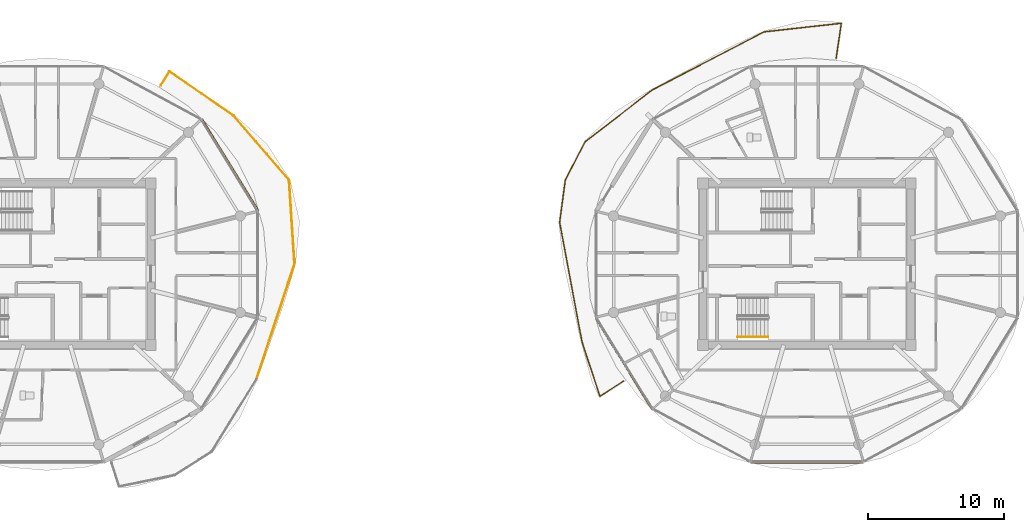
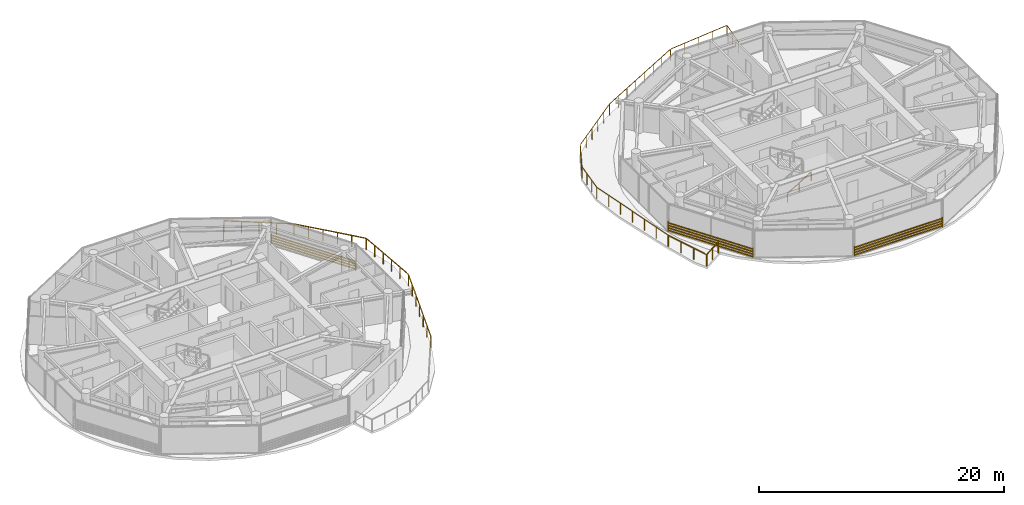
# One storey, part 17 of 19: 4 railings, 3 shading devices.
"""IFC4 building model written with IfcOpenShell, lengths in metres."""

from ifc_helpers import new_model, si_unit, direction, frame, origin, origin_2d, place, context, subcontext, project, spatial, rectangle, extrude, source, transform, mapped, material, type_object, type_shapes, element, save


model = new_model("IFC4")

# Units and contexts
model_context = context("Model", 3, precision=1e-05, world=origin(), true_north=direction((0.0, 1.0)))
body_context = subcontext(model_context, "Body", "Model", "MODEL_VIEW")
ifc_project = project(units=[si_unit("LENGTHUNIT", "METRE"), si_unit("AREAUNIT", "SQUARE_METRE"), si_unit("VOLUMEUNIT", "CUBIC_METRE"), si_unit("PLANEANGLEUNIT", "RADIAN"), si_unit("MASSUNIT", "GRAM", prefix="KILO")], contexts=[model_context])

# Site, building, storey
site_placement = place(None, origin())
site = spatial("IfcSite", under=ifc_project, at=site_placement, CompositionType="ELEMENT")
building_placement = place(site_placement, origin())
building = spatial("IfcBuilding", under=site, at=building_placement, Name="Norrkilde Senior Care Towers", CompositionType="ELEMENT")
storey_placement = place(building_placement, frame((0.0, 0.0, 193.699951171875)))
storey = spatial("IfcBuildingStorey", under=building, at=storey_placement, Name="L60", CompositionType="ELEMENT", Elevation=193.699951171875)

# Railings
ifc_material_1 = material(Name="Anodised Aluminium", Category="aluminium")
railing_type_1 = type_object("IfcRailingType", Name="Balcony Swirl Ribbon Guardrail 1150", PredefinedType="GUARDRAIL", material=ifc_material_1)
railing_1_placement = place(storey_placement, frame((11.427001953125, -5.733154296875, 0.0)))
element("IfcRailing", 1, at=railing_1_placement, inside=storey, type_object=railing_type_1, Name="L60 Perimeter Safety Guard 01", PredefinedType="GUARDRAIL", context=body_context, shape_type="SweptSolid", body=[
    extrude(rectangle(XDim=0.048095703125, YDim=0.048095703125, at=origin_2d()), frame((0.0, 0.0, 1.1259765625), z_axis=(-0.183926849175, 0.982939934153, 0.0), x_axis=(-0.982939934153, -0.183926849175, 0.0)), (0.0, 0.0, 1.0), 8.925537109375),
    extrude(rectangle(XDim=0.048095703125, YDim=0.048095703125, at=origin_2d()), frame((-1.643798828125, 8.85400390625, 1.1259765625), z_axis=(0.13208257829, 0.991238716209, 0.0), x_axis=(-0.991238716209, 0.13208257829, 0.0)), (0.0, 0.0, 1.0), 3.071533203125),
    extrude(rectangle(XDim=0.048095703125, YDim=0.048095703125, at=origin_2d()), frame((-1.2138671875, 11.9755859375, 1.1259765625), z_axis=(0.460852637019, 0.887476674033, 0.0), x_axis=(-0.887476674033, 0.460852637019, 0.0)), (0.0, 0.0, 1.0), 3.085205078125),
    extrude(rectangle(XDim=0.048095703125, YDim=0.048095703125, at=origin_2d()), frame((0.25927734375, 14.774658203125, 1.1259765625), z_axis=(0.791409042724, 0.611286943338, 0.0), x_axis=(-0.611286943338, 0.791409042724, 0.0)), (0.0, 0.0, 1.0), 6.19384765625),
    extrude(rectangle(XDim=0.048095703125, YDim=0.048095703125, at=origin_2d()), frame((5.229736328125, 18.604736328125, 1.1259765625), z_axis=(0.887521560516, 0.460766187582, 0.0), x_axis=(-0.460766187582, 0.887521560516, 0.0)), (0.0, 0.0, 1.0), 9.185546875),
    extrude(rectangle(XDim=0.048095703125, YDim=0.048095703125, at=origin_2d()), frame((13.458740234375, 22.8603515625, 1.1259765625), z_axis=(0.99393048108, 0.110009993999, 0.0), x_axis=(-0.110009993999, 0.99393048108, 0.0)), (0.0, 0.0, 1.0), 5.639404296875),
    extrude(rectangle(XDim=0.048095703125, YDim=0.048095703125, at=origin_2d()), frame((19.098876953125, 23.44482421875, 1.1259765625), z_axis=(-0.145573115623, -0.989347496084, 0.0), x_axis=(0.989347496084, -0.145573115623, 0.0)), (0.0, 0.0, 1.0), 2.53515625),
    extrude(rectangle(XDim=0.0419921875, YDim=0.0419921875, at=origin_2d()), origin(), (0.0, 0.0, 1.0), 1.099853515625),
    extrude(rectangle(XDim=0.0419921875, YDim=0.0419921875, at=origin_2d()), frame((-0.27490234375, 1.468994140625, 0.0)), (0.0, 0.0, 1.0), 1.099853515625),
    extrude(rectangle(XDim=0.0419921875, YDim=0.0419921875, at=origin_2d()), frame((-0.5498046875, 2.937744140625, 0.0)), (0.0, 0.0, 1.0), 1.099853515625),
    extrude(rectangle(XDim=0.0419921875, YDim=0.0419921875, at=origin_2d()), frame((-0.82470703125, 4.40673828125, 0.0)), (0.0, 0.0, 1.0), 1.099853515625),
    extrude(rectangle(XDim=0.0419921875, YDim=0.0419921875, at=origin_2d()), frame((-1.099365234375, 5.875732421875, 0.0)), (0.0, 0.0, 1.0), 1.099853515625),
    extrude(rectangle(XDim=0.0419921875, YDim=0.0419921875, at=origin_2d()), frame((-1.374267578125, 7.344482421875, 0.0)), (0.0, 0.0, 1.0), 1.099853515625),
    extrude(rectangle(XDim=0.0419921875, YDim=0.0419921875, at=origin_2d()), frame((-1.649169921875, 8.8134765625, 0.0)), (0.0, 0.0, 1.0), 1.099853515625),
    extrude(rectangle(XDim=0.0419921875, YDim=0.0419921875, at=origin_2d()), frame((-1.51025390625, 9.85546875, 0.0)), (0.0, 0.0, 1.0), 1.099853515625),
    extrude(rectangle(XDim=0.0419921875, YDim=0.0419921875, at=origin_2d()), frame((-1.37158203125, 10.897216796875, 0.0)), (0.0, 0.0, 1.0), 1.099853515625),
    extrude(rectangle(XDim=0.0419921875, YDim=0.0419921875, at=origin_2d()), frame((-1.232666015625, 11.939208984375, 0.0)), (0.0, 0.0, 1.0), 1.099853515625),
    extrude(rectangle(XDim=0.0419921875, YDim=0.0419921875, at=origin_2d()), frame((-0.74609375, 12.8759765625, 0.0)), (0.0, 0.0, 1.0), 1.099853515625),
    extrude(rectangle(XDim=0.0419921875, YDim=0.0419921875, at=origin_2d()), frame((-0.259765625, 13.81298828125, 0.0)), (0.0, 0.0, 1.0), 1.099853515625),
    extrude(rectangle(XDim=0.0419921875, YDim=0.0419921875, at=origin_2d()), frame((0.226806640625, 14.749755859375, 0.0)), (0.0, 0.0, 1.0), 1.099853515625),
    extrude(rectangle(XDim=0.0419921875, YDim=0.0419921875, at=origin_2d()), frame((1.22021484375, 15.51708984375, 0.0)), (0.0, 0.0, 1.0), 1.099853515625),
    extrude(rectangle(XDim=0.0419921875, YDim=0.0419921875, at=origin_2d()), frame((2.21337890625, 16.2841796875, 0.0)), (0.0, 0.0, 1.0), 1.099853515625),
    extrude(rectangle(XDim=0.0419921875, YDim=0.0419921875, at=origin_2d()), frame((3.206787109375, 17.051513671875, 0.0)), (0.0, 0.0, 1.0), 1.099853515625),
    extrude(rectangle(XDim=0.0419921875, YDim=0.0419921875, at=origin_2d()), frame((4.199951171875, 17.818603515625, 0.0)), (0.0, 0.0, 1.0), 1.099853515625),
    extrude(rectangle(XDim=0.0419921875, YDim=0.0419921875, at=origin_2d()), frame((5.193359375, 18.5859375, 0.0)), (0.0, 0.0, 1.0), 1.099853515625),
    extrude(rectangle(XDim=0.0419921875, YDim=0.0419921875, at=origin_2d()), frame((6.368408203125, 19.196044921875, 0.0)), (0.0, 0.0, 1.0), 1.099853515625),
    extrude(rectangle(XDim=0.0419921875, YDim=0.0419921875, at=origin_2d()), frame((7.543212890625, 19.805908203125, 0.0)), (0.0, 0.0, 1.0), 1.099853515625),
    extrude(rectangle(XDim=0.0419921875, YDim=0.0419921875, at=origin_2d()), frame((8.71826171875, 20.416015625, 0.0)), (0.0, 0.0, 1.0), 1.099853515625),
    extrude(rectangle(XDim=0.0419921875, YDim=0.0419921875, at=origin_2d()), frame((9.893310546875, 21.02587890625, 0.0)), (0.0, 0.0, 1.0), 1.099853515625),
    extrude(rectangle(XDim=0.0419921875, YDim=0.0419921875, at=origin_2d()), frame((11.068359375, 21.635986328125, 0.0)), (0.0, 0.0, 1.0), 1.099853515625),
    extrude(rectangle(XDim=0.0419921875, YDim=0.0419921875, at=origin_2d()), frame((12.2431640625, 22.245849609375, 0.0)), (0.0, 0.0, 1.0), 1.099853515625),
    extrude(rectangle(XDim=0.0419921875, YDim=0.0419921875, at=origin_2d()), frame((13.418212890625, 22.85595703125, 0.0)), (0.0, 0.0, 1.0), 1.099853515625),
    extrude(rectangle(XDim=0.0419921875, YDim=0.0419921875, at=origin_2d()), frame((14.83984375, 23.01318359375, 0.0)), (0.0, 0.0, 1.0), 1.099853515625),
    extrude(rectangle(XDim=0.0419921875, YDim=0.0419921875, at=origin_2d()), frame((16.261474609375, 23.170654296875, 0.0)), (0.0, 0.0, 1.0), 1.099853515625),
    extrude(rectangle(XDim=0.0419921875, YDim=0.0419921875, at=origin_2d()), frame((17.68310546875, 23.328125, 0.0)), (0.0, 0.0, 1.0), 1.099853515625),
    extrude(rectangle(XDim=0.0419921875, YDim=0.0419921875, at=origin_2d()), frame((19.104736328125, 23.4853515625, 0.0)), (0.0, 0.0, 1.0), 1.099853515625),
    extrude(rectangle(XDim=0.0419921875, YDim=0.0419921875, at=origin_2d()), frame((18.917236328125, 22.2109375, 0.0)), (0.0, 0.0, 1.0), 1.099853515625),
    extrude(rectangle(XDim=0.0419921875, YDim=0.0419921875, at=origin_2d()), frame((18.729736328125, 20.936767578125, 0.0)), (0.0, 0.0, 1.0), 1.099853515625),
])
railing_2_placement = place(storey_placement, frame((14.494873046875, -8.603759765625, 0.0)))
element("IfcRailing", 2, at=railing_2_placement, inside=storey, type_object=railing_type_1, Name="L60 Perimeter Safety Guard 02", PredefinedType="GUARDRAIL", context=body_context, shape_type="SweptSolid", body=[
    extrude(rectangle(XDim=0.048095703125, YDim=0.048095703125, at=origin_2d()), frame((0.0, 0.0, 1.1259765625), z_axis=(-0.840670803105, -0.541546489977, 0.0), x_axis=(0.541546489977, -0.840670803105, 0.0)), (0.0, 0.0, 1.0), 2.038818359375),
    extrude(rectangle(XDim=0.048095703125, YDim=0.048095703125, at=origin_2d()), frame((-1.760986328125, -1.08740234375, 1.1259765625), z_axis=(-0.313511881945, 0.949584277397, 0.0), x_axis=(-0.949584277397, -0.313511881945, 0.0)), (0.0, 0.0, 1.0), 4.168212890625),
    extrude(rectangle(XDim=0.0419921875, YDim=0.0419921875, at=origin_2d()), origin(), (0.0, 0.0, 1.0), 1.099853515625),
    extrude(rectangle(XDim=0.0419921875, YDim=0.0419921875, at=origin_2d()), frame((-0.8740234375, -0.56298828125, 0.0)), (0.0, 0.0, 1.0), 1.099853515625),
    extrude(rectangle(XDim=0.0419921875, YDim=0.0419921875, at=origin_2d()), frame((-1.748291015625, -1.126220703125, 0.0)), (0.0, 0.0, 1.0), 1.099853515625),
    extrude(rectangle(XDim=0.0419921875, YDim=0.0419921875, at=origin_2d()), frame((-2.188232421875, 0.2060546875, 0.0)), (0.0, 0.0, 1.0), 1.099853515625),
    extrude(rectangle(XDim=0.0419921875, YDim=0.0419921875, at=origin_2d()), frame((-2.6279296875, 1.538330078125, 0.0)), (0.0, 0.0, 1.0), 1.099853515625),
    extrude(rectangle(XDim=0.0419921875, YDim=0.0419921875, at=origin_2d()), frame((-3.06787109375, 2.87060546875, 0.0)), (0.0, 0.0, 1.0), 1.099853515625),
])
railing_3_placement = place(storey_placement, frame((-19.608154296875, 13.187255859375, 0.0)))
element("IfcRailing", 3, at=railing_3_placement, inside=storey, type_object=railing_type_1, Name="L60 Perimeter Safety Guard 04", PredefinedType="GUARDRAIL", context=body_context, shape_type="SweptSolid", body=[
    extrude(rectangle(XDim=0.048095703125, YDim=0.048095703125, at=origin_2d()), frame((0.0, 0.0, 1.1259765625), z_axis=(0.532687314278, 0.846312132258, 0.0), x_axis=(-0.846312132258, 0.532687314278, 0.0)), (0.0, 0.0, 1.0), 1.1416015625),
    extrude(rectangle(XDim=0.048095703125, YDim=0.048095703125, at=origin_2d()), frame((0.66357421875, 0.9775390625, 1.1259765625), z_axis=(0.824669229807, -0.565615294533, 0.0), x_axis=(0.565615294533, 0.824669229807, 0.0)), (0.0, 0.0, 1.0), 5.648193359375),
    extrude(rectangle(XDim=0.048095703125, YDim=0.048095703125, at=origin_2d()), frame((5.382080078125, -2.271240234375, 1.1259765625), z_axis=(0.654000562418, -0.756494061019, 0.0), x_axis=(0.756494061019, 0.654000562418, 0.0)), (0.0, 0.0, 1.0), 6.17822265625),
    extrude(rectangle(XDim=0.048095703125, YDim=0.048095703125, at=origin_2d()), frame((9.451904296875, -7.0166015625, 1.1259765625), z_axis=(0.065229787508, -0.997870269535, 0.0), x_axis=(0.997870269535, 0.065229787508, 0.0)), (0.0, 0.0, 1.0), 6.12744140625),
    extrude(rectangle(XDim=0.048095703125, YDim=0.048095703125, at=origin_2d()), frame((9.84130859375, -13.210693359375, 1.1259765625), z_axis=(-0.314123555845, -0.949382110461, 0.0), x_axis=(0.949382110461, -0.314123555845, 0.0)), (0.0, 0.0, 1.0), 8.907958984375),
    extrude(rectangle(XDim=0.0419921875, YDim=0.0419921875, at=origin_2d()), origin(), (0.0, 0.0, 1.0), 1.099853515625),
    extrude(rectangle(XDim=0.0419921875, YDim=0.0419921875, at=origin_2d()), frame((0.6298828125, 1.000732421875, 0.0)), (0.0, 0.0, 1.0), 1.099853515625),
    extrude(rectangle(XDim=0.0419921875, YDim=0.0419921875, at=origin_2d()), frame((1.811279296875, 0.1904296875, 0.0)), (0.0, 0.0, 1.0), 1.099853515625),
    extrude(rectangle(XDim=0.0419921875, YDim=0.0419921875, at=origin_2d()), frame((2.99267578125, -0.61962890625, 0.0)), (0.0, 0.0, 1.0), 1.099853515625),
    extrude(rectangle(XDim=0.0419921875, YDim=0.0419921875, at=origin_2d()), frame((4.173828125, -1.429931640625, 0.0)), (0.0, 0.0, 1.0), 1.099853515625),
    extrude(rectangle(XDim=0.0419921875, YDim=0.0419921875, at=origin_2d()), frame((5.355224609375, -2.240234375, 0.0)), (0.0, 0.0, 1.0), 1.099853515625),
    extrude(rectangle(XDim=0.0419921875, YDim=0.0419921875, at=origin_2d()), frame((6.174072265625, -3.187255859375, 0.0)), (0.0, 0.0, 1.0), 1.099853515625),
    extrude(rectangle(XDim=0.0419921875, YDim=0.0419921875, at=origin_2d()), frame((6.992919921875, -4.134521484375, 0.0)), (0.0, 0.0, 1.0), 1.099853515625),
    extrude(rectangle(XDim=0.0419921875, YDim=0.0419921875, at=origin_2d()), frame((7.8115234375, -5.08154296875, 0.0)), (0.0, 0.0, 1.0), 1.099853515625),
    extrude(rectangle(XDim=0.0419921875, YDim=0.0419921875, at=origin_2d()), frame((8.63037109375, -6.02880859375, 0.0)), (0.0, 0.0, 1.0), 1.099853515625),
    extrude(rectangle(XDim=0.0419921875, YDim=0.0419921875, at=origin_2d()), frame((9.44921875, -6.975830078125, 0.0)), (0.0, 0.0, 1.0), 1.099853515625),
    extrude(rectangle(XDim=0.0419921875, YDim=0.0419921875, at=origin_2d()), frame((9.5302734375, -8.215087890625, 0.0)), (0.0, 0.0, 1.0), 1.099853515625),
    extrude(rectangle(XDim=0.0419921875, YDim=0.0419921875, at=origin_2d()), frame((9.611328125, -9.454345703125, 0.0)), (0.0, 0.0, 1.0), 1.099853515625),
    extrude(rectangle(XDim=0.0419921875, YDim=0.0419921875, at=origin_2d()), frame((9.692138671875, -10.693359375, 0.0)), (0.0, 0.0, 1.0), 1.099853515625),
    extrude(rectangle(XDim=0.0419921875, YDim=0.0419921875, at=origin_2d()), frame((9.773193359375, -11.9326171875, 0.0)), (0.0, 0.0, 1.0), 1.099853515625),
    extrude(rectangle(XDim=0.0419921875, YDim=0.0419921875, at=origin_2d()), frame((9.854248046875, -13.171875, 0.0)), (0.0, 0.0, 1.0), 1.099853515625),
    extrude(rectangle(XDim=0.0419921875, YDim=0.0419921875, at=origin_2d()), frame((9.3857421875, -14.587890625, 0.0)), (0.0, 0.0, 1.0), 1.099853515625),
    extrude(rectangle(XDim=0.0419921875, YDim=0.0419921875, at=origin_2d()), frame((8.917236328125, -16.00390625, 0.0)), (0.0, 0.0, 1.0), 1.099853515625),
    extrude(rectangle(XDim=0.0419921875, YDim=0.0419921875, at=origin_2d()), frame((8.44873046875, -17.419921875, 0.0)), (0.0, 0.0, 1.0), 1.099853515625),
    extrude(rectangle(XDim=0.0419921875, YDim=0.0419921875, at=origin_2d()), frame((7.980224609375, -18.835693359375, 0.0)), (0.0, 0.0, 1.0), 1.099853515625),
    extrude(rectangle(XDim=0.0419921875, YDim=0.0419921875, at=origin_2d()), frame((7.51171875, -20.251708984375, 0.0)), (0.0, 0.0, 1.0), 1.099853515625),
    extrude(rectangle(XDim=0.0419921875, YDim=0.0419921875, at=origin_2d()), frame((7.043212890625, -21.667724609375, 0.0)), (0.0, 0.0, 1.0), 1.099853515625),
])
ifc_material_2 = material(Name="Nordic Ash Timber", Category="wood")
railing_type_2 = type_object("IfcRailingType", Name="Wall and Stair Handrail 900", PredefinedType="HANDRAIL", material=ifc_material_2)
railing_4_placement = place(storey_placement, frame((22.89990234375, -5.35009765625, 0.16943359375)))
element("IfcRailing", 4, at=railing_4_placement, inside=storey, type_object=railing_type_2, Name="L60 ST-E2 stair handrail 1", PredefinedType="HANDRAIL", context=body_context, shape_type="SweptSolid", body=[
    extrude(rectangle(XDim=0.048095703125, YDim=0.048095703125, at=origin_2d()), frame((0.0, 0.0, 0.8759765625), z_axis=(0.855512035549, 0.0, 0.517782924622), x_axis=(0.0, 1.0, 0.0)), (0.0, 0.0, 1.0), 2.618408203125),
    extrude(rectangle(XDim=0.0419921875, YDim=0.0419921875, at=origin_2d()), origin(), (0.0, 0.0, 1.0), 0.849853515625),
    extrude(rectangle(XDim=0.0419921875, YDim=0.0419921875, at=origin_2d()), frame((1.1201171875, 0.0, 0.677734375)), (0.0, 0.0, 1.0), 0.849853515625),
    extrude(rectangle(XDim=0.0419921875, YDim=0.0419921875, at=origin_2d()), frame((2.239990234375, 0.0, 1.355712890625)), (0.0, 0.0, 1.0), 0.849853515625),
])

# Shading devices
ifc_material_3 = material(Name="Architectural Terracotta", Category="masonry")
shading_device_type = type_object("IfcShadingDeviceType", Name="Horizontal Terracotta Baguette Rack", PredefinedType="USERDEFINED", material=ifc_material_3)
shared_shape_1 = source(origin(), body_context, "Body", "SweptSolid", [
    extrude(rectangle(XDim=0.070068359375, YDim=0.110107421875, at=origin_2d()), frame((0.0, 0.090087890625, 0.125), z_axis=(1.0, 0.0, 0.0), x_axis=(0.0, 1.0, 0.0)), (0.0, 0.0, 1.0), 7.938232421875),
    extrude(rectangle(XDim=0.070068359375, YDim=0.110107421875, at=origin_2d()), frame((0.0, 0.090087890625, 0.375), z_axis=(1.0, 0.0, 0.0), x_axis=(0.0, 1.0, 0.0)), (0.0, 0.0, 1.0), 7.938232421875),
    extrude(rectangle(XDim=0.070068359375, YDim=0.110107421875, at=origin_2d()), frame((0.0, 0.090087890625, 0.625), z_axis=(1.0, 0.0, 0.0), x_axis=(0.0, 1.0, 0.0)), (0.0, 0.0, 1.0), 7.938232421875),
    extrude(rectangle(XDim=0.070068359375, YDim=0.110107421875, at=origin_2d()), frame((0.0, 0.090087890625, 0.875), z_axis=(1.0, 0.0, 0.0), x_axis=(0.0, 1.0, 0.0)), (0.0, 0.0, 1.0), 7.938232421875),
    extrude(rectangle(XDim=0.050048828125, YDim=0.1552734375, at=origin_2d()), frame((0.02490234375, 0.047607421875, 0.0)), (0.0, 0.0, 1.0), 1.0),
    extrude(rectangle(XDim=0.050048828125, YDim=0.1552734375, at=origin_2d()), frame((7.9130859375, 0.047607421875, 0.0)), (0.0, 0.0, 1.0), 1.0),
])
for number, where, z_axis, x_axis, name in (
    (5, (-16.629638671875, 10.6630859375, 0.080078125), (0.0, 0.0, 1.0), (0.524250345994, -0.851576195602, 0.0), "L60 Drum W Terracotta Baguette Screen 00"),
    (6, (16.629638671875, -10.6630859375, 0.080078125), (0.0, 0.0, 1.0), (-0.524250345994, 0.851576195602, 0.0), "L60 Drum E Terracotta Baguette Screen 06"),
):
    element("IfcShadingDevice", number, at=place(storey_placement, frame(where, z_axis=z_axis, x_axis=x_axis)), inside=storey, type_object=shading_device_type, Name=name, ObjectType="BAGUETTE", PredefinedType="USERDEFINED", context=body_context, shape_type="MappedRepresentation", body=[
        mapped(shared_shape_1, transform((0.0, 0.0, 0.0), x_axis=(1.0, 0.0, 0.0), y_axis=(0.0, 1.0, 0.0), z_axis=(0.0, 0.0, 1.0), scale=1.0)),
    ])
shared_shape_2 = source(origin(), body_context, "Body", "SweptSolid", [
    extrude(rectangle(XDim=0.070068359375, YDim=0.110107421875, at=origin_2d()), frame((0.0, 0.090087890625, 0.125), z_axis=(1.0, 0.0, 0.0), x_axis=(0.0, 1.0, 0.0)), (0.0, 0.0, 1.0), 8.32373046875),
    extrude(rectangle(XDim=0.070068359375, YDim=0.110107421875, at=origin_2d()), frame((0.0, 0.090087890625, 0.375), z_axis=(1.0, 0.0, 0.0), x_axis=(0.0, 1.0, 0.0)), (0.0, 0.0, 1.0), 8.32373046875),
    extrude(rectangle(XDim=0.070068359375, YDim=0.110107421875, at=origin_2d()), frame((0.0, 0.090087890625, 0.625), z_axis=(1.0, 0.0, 0.0), x_axis=(0.0, 1.0, 0.0)), (0.0, 0.0, 1.0), 8.32373046875),
    extrude(rectangle(XDim=0.070068359375, YDim=0.110107421875, at=origin_2d()), frame((0.0, 0.090087890625, 0.875), z_axis=(1.0, 0.0, 0.0), x_axis=(0.0, 1.0, 0.0)), (0.0, 0.0, 1.0), 8.32373046875),
    extrude(rectangle(XDim=0.050048828125, YDim=0.1552734375, at=origin_2d()), frame((0.02490234375, 0.047607421875, 0.0)), (0.0, 0.0, 1.0), 1.0),
    extrude(rectangle(XDim=0.050048828125, YDim=0.1552734375, at=origin_2d()), frame((8.298828125, 0.047607421875, 0.0)), (0.0, 0.0, 1.0), 1.0),
])
type_shapes(shading_device_type, [shared_shape_1, shared_shape_2])
shading_device_placement = place(storey_placement, frame((32.161865234375, -14.566162109375, 0.080078125), z_axis=(0.0, 0.0, 1.0), x_axis=(-1.0, 0.0, 0.0)))
element("IfcShadingDevice", 7, at=shading_device_placement, inside=storey, type_object=shading_device_type, Name="L60 Drum E Terracotta Baguette Screen 08", ObjectType="BAGUETTE", PredefinedType="USERDEFINED", context=body_context, shape_type="MappedRepresentation", body=[
    mapped(shared_shape_2, transform((0.0, 0.0, 0.0), x_axis=(1.0, 0.0, 0.0), y_axis=(0.0, 1.0, 0.0), z_axis=(0.0, 0.0, 1.0), scale=1.0)),
])

save(model, "model.ifc")
